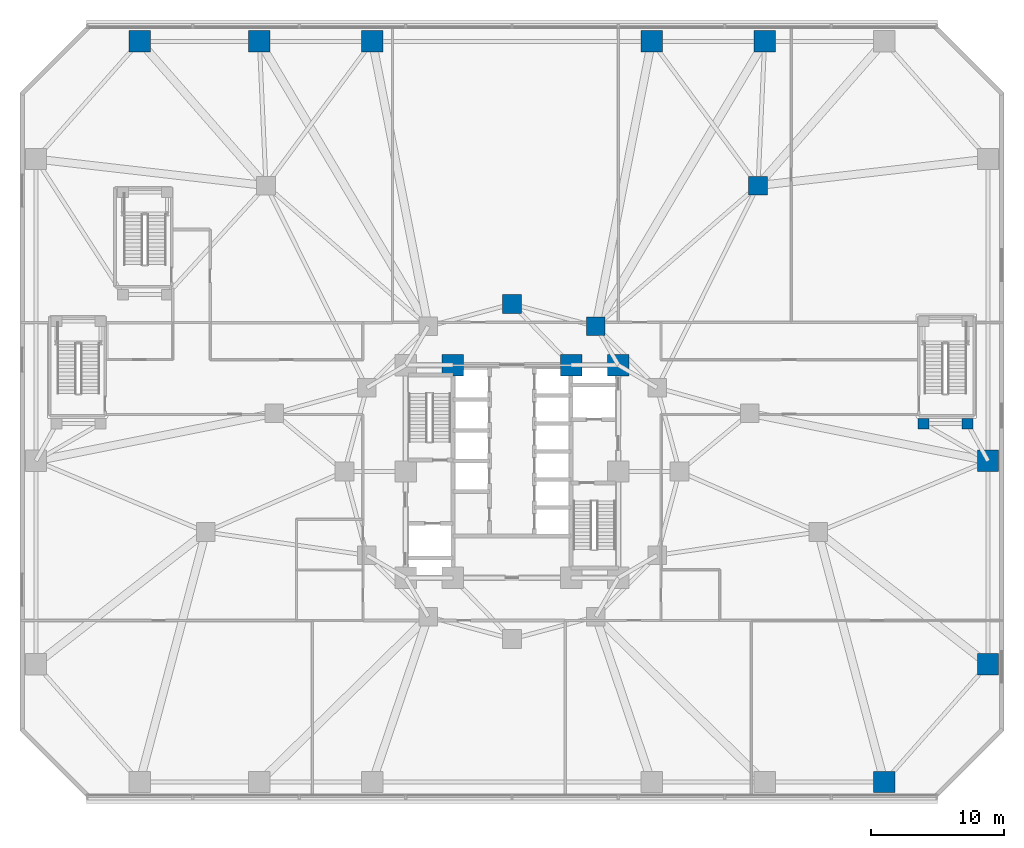
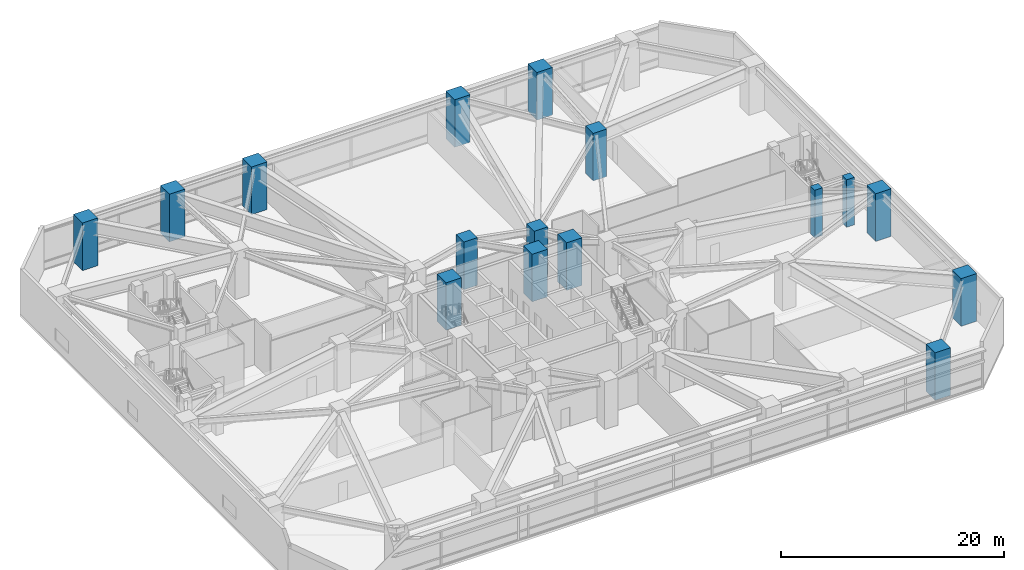
# One storey, part 3 of 28: 16 columns.
"""IFC4 building model written with IfcOpenShell, lengths in metres."""

from ifc_helpers import new_model, si_unit, direction, frame, origin, origin_2d, place, context, subcontext, project, spatial, rectangle, extrude, material, material_profile, profile_set, type_object, element, save


model = new_model("IFC4")

# Units and contexts
model_context = context("Model", 3, precision=1e-05, world=origin(), true_north=direction((0.0, 1.0)))
body_context = subcontext(model_context, "Body", "Model", "MODEL_VIEW")
ifc_project = project(units=[si_unit("LENGTHUNIT", "METRE"), si_unit("AREAUNIT", "SQUARE_METRE"), si_unit("VOLUMEUNIT", "CUBIC_METRE"), si_unit("PLANEANGLEUNIT", "RADIAN"), si_unit("MASSUNIT", "GRAM", prefix="KILO")], contexts=[model_context])

# Site, building, storey
site_placement = place(None, origin())
site = spatial("IfcSite", under=ifc_project, at=site_placement, CompositionType="ELEMENT")
building_placement = place(site_placement, origin())
building = spatial("IfcBuilding", under=site, at=building_placement, Name="Terralouvre Media Tower", CompositionType="ELEMENT")
storey_placement = place(building_placement, frame((0.0, 0.0, 10.39990234375)))
storey = spatial("IfcBuildingStorey", under=building, at=storey_placement, Name="L02", CompositionType="ELEMENT", Elevation=10.39990234375)

# Columns
ifc_material_1 = material(Name="Concrete C60/75", Category="concrete")
ifc_material_profile_1 = material_profile(ifc_material_1, rectangle(XDim=1.39990234375, YDim=1.39990234375, at=origin_2d()), Name="RC 1400x1400")
ifc_profile_set_1 = profile_set([ifc_material_profile_1], Name="Concrete C60/75")
column_type_1 = type_object("IfcColumnType", Name="Structural Column C-RC1400 (RC 1400x1400)", PredefinedType="COLUMN", material=ifc_profile_set_1)
for number, where, z_axis, x_axis, name in (
    (1, (6.300048828125, 10.911865234375, 0.0), (0.0, 0.0, 1.0), (1.0, 0.0, 0.0), "L02 Mega-Frame Column MC03"),
    (2, (0.0, 12.60009765625, 0.0), (0.0, 0.0, 1.0), (1.0, 0.0, 0.0), "L02 Mega-Frame Column MC04"),
    (3, (18.5, 21.5, 0.0), (0.0, 0.0, 1.0), (1.0, 0.0, 0.0), "L02 Podium Transfer Column PM20"),
):
    element("IfcColumn", number, at=place(storey_placement, frame(where, z_axis=z_axis, x_axis=x_axis)), inside=storey, type_object=column_type_1, Name=name, PredefinedType="COLUMN", context=body_context, shape_type="SweptSolid", body=[
        extrude(rectangle(XDim=1.39990234375, YDim=1.39990234375, at=origin_2d()), origin(), (0.0, 0.0, 1.0), 5.2001953125),
    ])
ifc_material_2 = material(Name="Concrete C60/75", Category="concrete")
ifc_material_profile_2 = material_profile(ifc_material_2, rectangle(XDim=1.60009765625, YDim=1.60009765625, at=origin_2d()), Name="RC 1600x1600")
ifc_profile_set_2 = profile_set([ifc_material_profile_2], Name="Concrete C60/75")
column_type_2 = type_object("IfcColumnType", Name="Structural Column C-RC1600 (RC 1600x1600)", PredefinedType="COLUMN", material=ifc_profile_set_2)
for number, where, z_axis, x_axis, name in (
    (4, (8.0, 8.0, 0.0), (0.0, 0.0, 1.0), (1.0, 0.0, 0.0), "L02 Core Pilaster Column CP5"),
    (5, (4.449951171875, 8.0, 0.0), (0.0, 0.0, 1.0), (1.0, 0.0, 0.0), "L02 Core Pilaster Column CP9"),
    (6, (-4.449951171875, 8.0, 0.0), (0.0, 0.0, 1.0), (1.0, 0.0, 0.0), "L02 Core Pilaster Column CP6"),
    (7, (28.0, -23.35009765625, 0.0), (0.0, 0.0, 1.0), (1.0, 0.0, 0.0), "L02 Perimeter Mega-Column PM06"),
    (8, (35.800048828125, -14.5, 0.0), (0.0, 0.0, 1.0), (1.0, 0.0, 0.0), "L02 Perimeter Mega-Column PM07"),
    (9, (35.800048828125, 0.800048828125, 0.0), (0.0, 0.0, 1.0), (1.0, 0.0, 0.0), "L02 Perimeter Mega-Column PM08"),
    (10, (19.0, 32.35009765625, 0.0), (0.0, 0.0, 1.0), (1.0, 0.0, 0.0), "L02 Perimeter Mega-Column PM11"),
    (11, (10.5, 32.35009765625, 0.0), (0.0, 0.0, 1.0), (1.0, 0.0, 0.0), "L02 Perimeter Mega-Column PM12"),
    (12, (-10.5, 32.35009765625, 0.0), (0.0, 0.0, 1.0), (1.0, 0.0, 0.0), "L02 Perimeter Mega-Column PM13"),
    (13, (-19.0, 32.35009765625, 0.0), (0.0, 0.0, 1.0), (1.0, 0.0, 0.0), "L02 Perimeter Mega-Column PM14"),
    (14, (-28.0, 32.35009765625, 0.0), (0.0, 0.0, 1.0), (1.0, 0.0, 0.0), "L02 Perimeter Mega-Column PM15"),
):
    element("IfcColumn", number, at=place(storey_placement, frame(where, z_axis=z_axis, x_axis=x_axis)), inside=storey, type_object=column_type_2, Name=name, PredefinedType="COLUMN", context=body_context, shape_type="SweptSolid", body=[
        extrude(rectangle(XDim=1.60009765625, YDim=1.60009765625, at=origin_2d()), origin(), (0.0, 0.0, 1.0), 5.2001953125),
    ])
ifc_material_3 = material(Name="Concrete C50/60", Category="concrete")
ifc_material_profile_3 = material_profile(ifc_material_3, rectangle(XDim=0.800048828125, YDim=0.800048828125, at=origin_2d()), Name="RC 800x800")
ifc_profile_set_3 = profile_set([ifc_material_profile_3], Name="Concrete C50/60")
column_type_3 = type_object("IfcColumnType", Name="Structural Column C-RC800 (RC 800x800)", PredefinedType="COLUMN", material=ifc_profile_set_3)
for number, where, z_axis, x_axis, name in (
    (15, (30.949951171875, 3.60009765625, 0.0), (0.0, 0.0, 1.0), (1.0, 0.0, 0.0), "L02 Stair Pavilion Support Column ST4C1"),
    (16, (34.25, 3.60009765625, 0.0), (0.0, 0.0, 1.0), (1.0, 0.0, 0.0), "L02 Stair Pavilion Support Column ST4C2"),
):
    element("IfcColumn", number, at=place(storey_placement, frame(where, z_axis=z_axis, x_axis=x_axis)), inside=storey, type_object=column_type_3, Name=name, PredefinedType="COLUMN", context=body_context, shape_type="SweptSolid", body=[
        extrude(rectangle(XDim=0.800048828125, YDim=0.800048828125, at=origin_2d()), origin(), (0.0, 0.0, 1.0), 5.2001953125),
    ])

save(model, "model.ifc")
